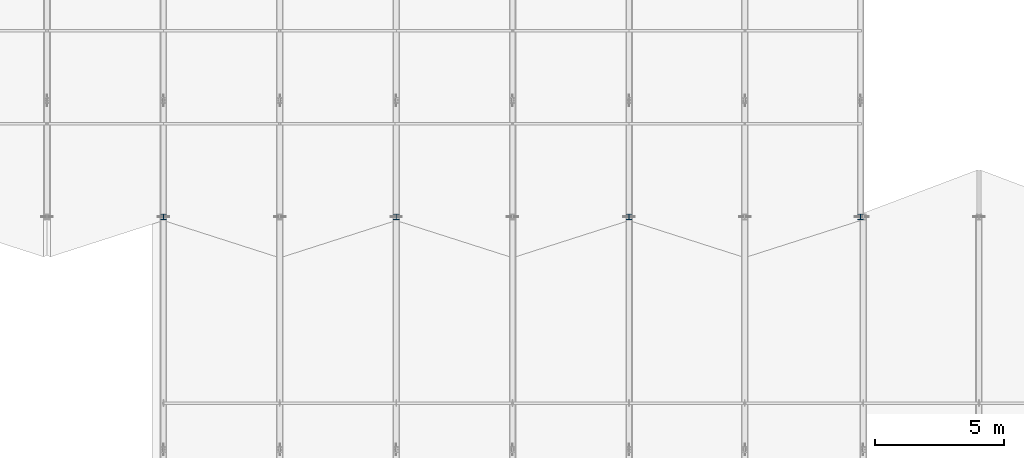
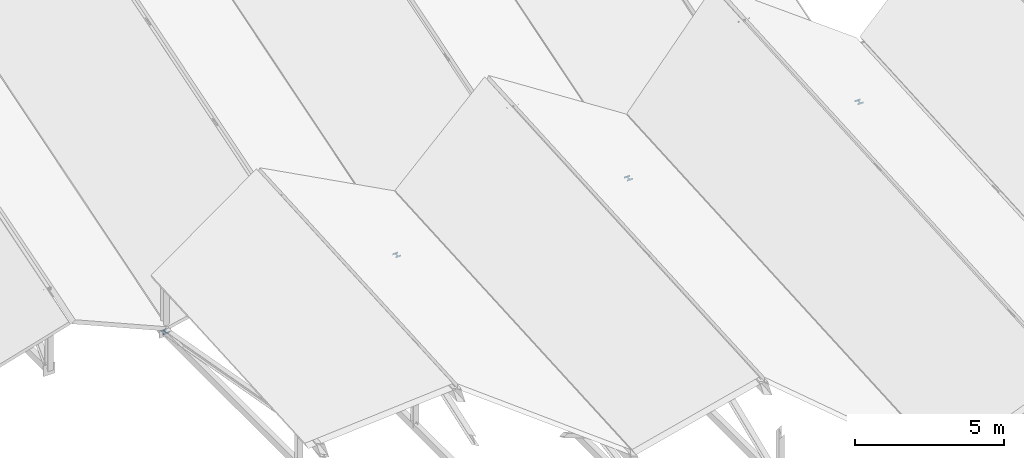
# One storey, part 101 of 142: 4 members.
"""IFC4 building model written with IfcOpenShell, lengths in metres."""

from ifc_helpers import new_model, si_unit, direction, frame, origin, origin_2d, place, context, subcontext, project, spatial, i_section, extrude, material, material_profile, profile_set, type_object, element, save


model = new_model("IFC4")

# Units and contexts
model_context = context("Model", 3, precision=1e-05, world=origin(), true_north=direction((0.0, 1.0)))
body_context = subcontext(model_context, "Body", "Model", "MODEL_VIEW")
ifc_project = project(units=[si_unit("LENGTHUNIT", "METRE"), si_unit("AREAUNIT", "SQUARE_METRE"), si_unit("VOLUMEUNIT", "CUBIC_METRE"), si_unit("PLANEANGLEUNIT", "RADIAN"), si_unit("MASSUNIT", "GRAM", prefix="KILO")], contexts=[model_context])

# Site, building, storey
site_placement = place(None, origin())
site = spatial("IfcSite", under=ifc_project, at=site_placement, CompositionType="ELEMENT")
building_placement = place(site_placement, origin())
building = spatial("IfcBuilding", under=site, at=building_placement, Name="Montelvaro Courts of Justice", CompositionType="ELEMENT")
storey_placement = place(building_placement, frame((0.0, 0.0, 14.39990234375)))
storey = spatial("IfcBuildingStorey", under=building, at=storey_placement, Name="L03", CompositionType="ELEMENT", Elevation=14.39990234375)

# Members
ifc_material = material(Name="Steel S355", Category="steel")
ifc_material_profile = material_profile(ifc_material, i_section(OverallWidth=0.219970703125, OverallDepth=0.2099609375, WebThickness=0.007080078125, FlangeThickness=0.010986328125, at=origin_2d()), Name="HEA 220")
ifc_profile_set = profile_set([ifc_material_profile], Name="Steel S355")
member_type = type_object("IfcMemberType", Name="Mem_HEA220_Post", PredefinedType="POST", material=ifc_profile_set)
for number, where, z_axis, x_axis, name in (
    (1, (54.0, 78.0, -0.2998046875), (0.0, 0.0, -1.0), (1.0, 0.0, 0.0), "Roof Truss Post MP-03 ROOF-V1-VTR05-V0"),
    (2, (63.0, 78.0, -0.2998046875), (0.0, 0.0, -1.0), (1.0, 0.0, 0.0), "Roof Truss Post MP-03 ROOF-V1-VTR06-V0"),
    (3, (72.0, 78.0, -0.2998046875), (0.0, 0.0, -1.0), (1.0, 0.0, 0.0), "Roof Truss Post MP-03 ROOF-V1-VTR07-V0"),
    (4, (80.949951171875, 78.0, -0.2998046875), (0.0, 0.0, -1.0), (1.0, 0.0, 0.0), "Roof Truss Post MP-03 ROOF-V1-VTR08-V0"),
):
    element("IfcMember", number, at=place(storey_placement, frame(where, z_axis=z_axis, x_axis=x_axis)), inside=storey, type_object=member_type, Name=name, PredefinedType="POST", context=body_context, shape_type="SweptSolid", body=[
        extrude(i_section(OverallWidth=0.219970703125, OverallDepth=0.2099609375, WebThickness=0.007080078125, FlangeThickness=0.010986328125, at=origin_2d()), origin(), (0.0, 0.0, 1.0), 0.070068359375),
    ])

save(model, "model.ifc")
